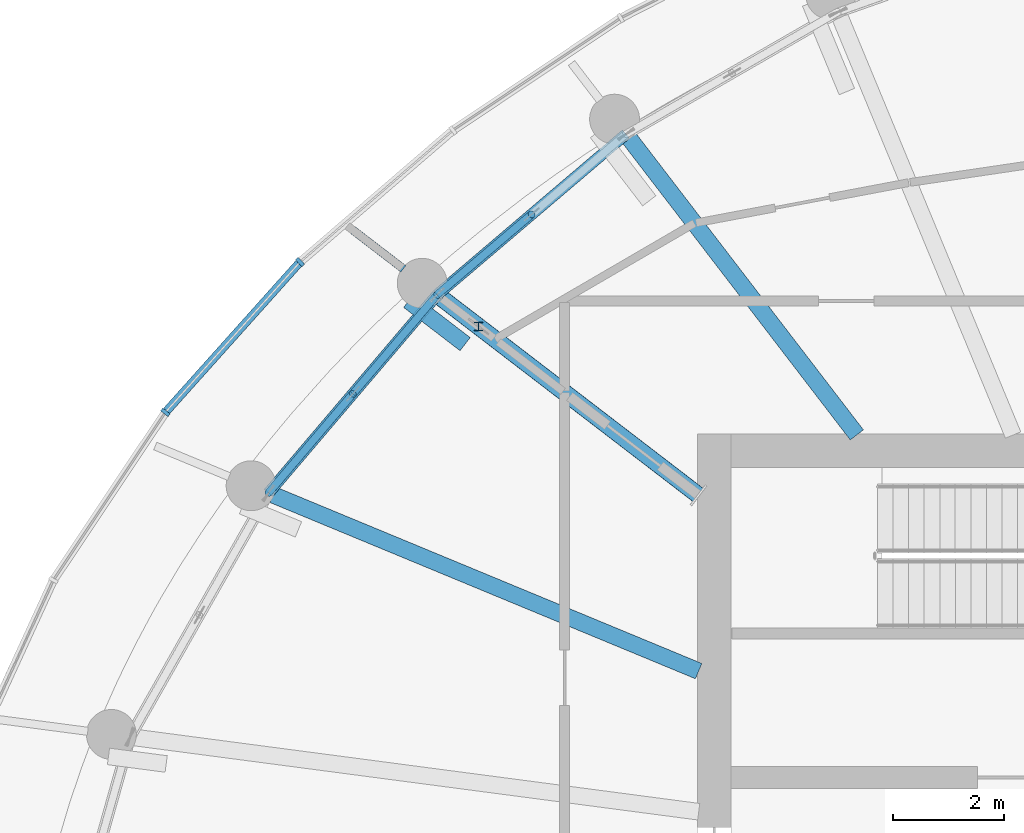
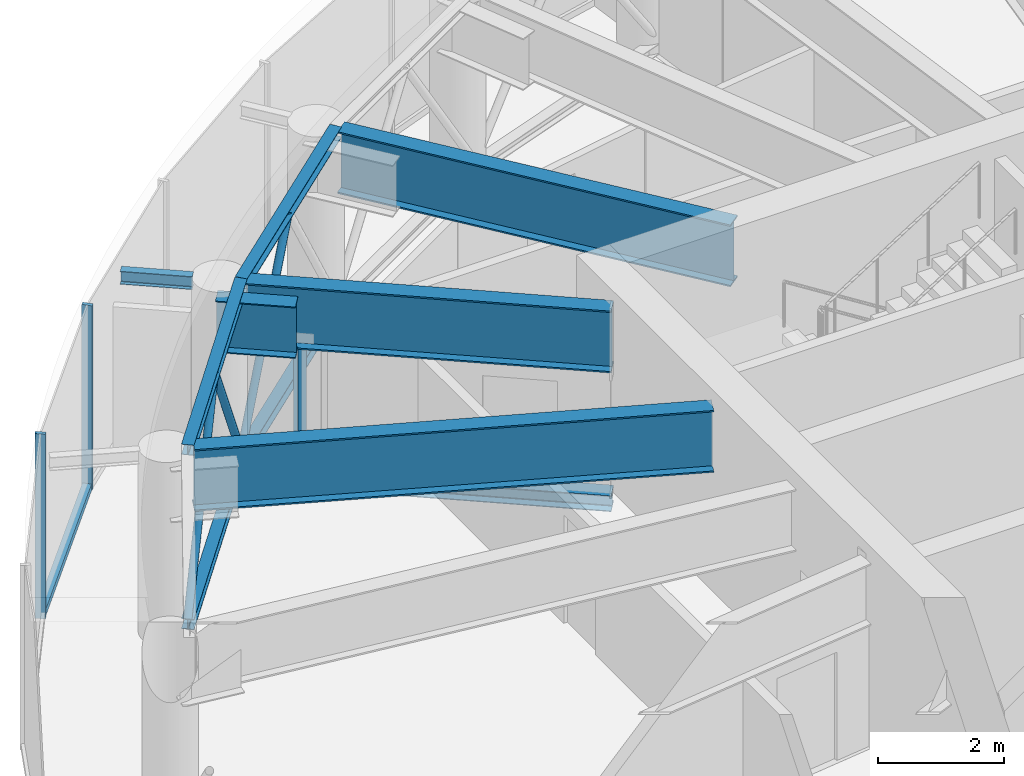
# One storey, part 6 of 26: 12 members, 5 beams, 1 element without a shape of its own.
"""IFC4 building model written with IfcOpenShell, lengths in metres."""

from ifc_helpers import new_model, si_unit, direction, frame, origin, origin_2d, place, context, subcontext, project, spatial, rectangle, hollow_circle, i_section, extrude, source, transform, mapped, material, layer, layer_set, material_profile, profile_set, type_object, element, aggregate, save


model = new_model("IFC4")

# Units and contexts
model_context = context("Model", 3, precision=1e-05, world=origin(), true_north=direction((0.0, 1.0)))
body_context = subcontext(model_context, "Body", "Model", "MODEL_VIEW")
ifc_project = project(units=[si_unit("LENGTHUNIT", "METRE"), si_unit("AREAUNIT", "SQUARE_METRE"), si_unit("VOLUMEUNIT", "CUBIC_METRE"), si_unit("PLANEANGLEUNIT", "RADIAN"), si_unit("MASSUNIT", "GRAM", prefix="KILO")], contexts=[model_context])

# Site, building, storey
site_placement = place(None, origin())
site = spatial("IfcSite", under=ifc_project, at=site_placement, CompositionType="ELEMENT")
building_placement = place(site_placement, origin())
building = spatial("IfcBuilding", under=site, at=building_placement, Name="Spindrift Exchange Tower", CompositionType="ELEMENT")
storey_placement = place(building_placement, frame((0.0, 0.0, 230.60009765625)))
storey = spatial("IfcBuildingStorey", under=building, at=storey_placement, Name="L56", CompositionType="ELEMENT", Elevation=230.60009765625)

# Beams
ifc_material_1 = material(Name="Steel Grade 300", Category="steel")
ifc_material_profile_1 = material_profile(ifc_material_1, i_section(OverallWidth=0.14599609375, OverallDepth=0.251953125, WebThickness=0.006103515625, FlangeThickness=0.008544921875, FilletRadius=0.011962890625, at=origin_2d()), Name="250UB31.4")
ifc_profile_set_1 = profile_set([ifc_material_profile_1], Name="Steel Grade 300")
beam_type_1 = type_object("IfcBeamType", Name="Cantilever Beam 250UB31.4 Steel Grade 300", PredefinedType="BEAM", material=ifc_profile_set_1)
shared_shape_1 = source(origin(), body_context, "Body", "SweptSolid", [
    extrude(i_section(OverallWidth=0.14599609375, OverallDepth=0.251953125, WebThickness=0.006103515625, FlangeThickness=0.008544921875, FilletRadius=0.011962890625, at=origin_2d()), origin(), (0.0, 0.0, 1.0), 1.15576171875),
])
beam_1_placement = place(storey_placement, frame((37.68798828125, 58.982177734375, 3.453857421875), z_axis=(-0.793463533488, 0.608617795521, 0.0), x_axis=(-0.608617795521, -0.793463533488, 0.0)))
element("IfcBeam", 1, at=beam_1_placement, inside=storey, type_object=beam_type_1, Name="L56 cantilever beam R10T", PredefinedType="BEAM", context=body_context, shape_type="MappedRepresentation", body=[
    mapped(shared_shape_1, transform((0.0, 0.0, 0.0), scale=1.0)),
])
ifc_material_profile_2 = material_profile(ifc_material_1, i_section(OverallWidth=0.300048828125, OverallDepth=1.199951171875, WebThickness=0.011962890625, FlangeThickness=0.028076171875, at=origin_2d()), Name="1200WB249")
ifc_profile_set_2 = profile_set([ifc_material_profile_2], Name="Steel Grade 300")
beam_type_2 = type_object("IfcBeamType", Name="Transfer Girder 1200WB249 Steel Grade 300", PredefinedType="BEAM", material=ifc_profile_set_2)
shared_shape_2 = source(origin(), body_context, "Body", "SweptSolid", [
    extrude(i_section(OverallWidth=0.300048828125, OverallDepth=1.199951171875, WebThickness=0.011962890625, FlangeThickness=0.028076171875, at=origin_2d()), origin(), (0.0, 0.0, 1.0), 6.753173828125),
])
beam_2_placement = place(storey_placement, frame((45.87353515625, 55.984130859375, 2.97998046875), z_axis=(-0.608761639459, 0.793353178807, 0.0), x_axis=(-0.793353178807, -0.608761639459, 0.0)))
element("IfcBeam", 2, at=beam_2_placement, inside=storey, type_object=beam_type_2, Name="L56 radial beam R09A", PredefinedType="BEAM", context=body_context, shape_type="MappedRepresentation", body=[
    mapped(shared_shape_2, transform((0.0, 0.0, 0.0), scale=1.0)),
])
shared_shape_3 = source(origin(), body_context, "Body", "SweptSolid", [
    extrude(i_section(OverallWidth=0.300048828125, OverallDepth=1.199951171875, WebThickness=0.011962890625, FlangeThickness=0.028076171875, at=origin_2d()), origin(), (0.0, 0.0, 1.0), 8.3134765625),
])
beam_3_placement = place(storey_placement, frame((43.0185546875, 51.72021484375, 2.97998046875), z_axis=(-0.923881179957, 0.382679455055, 0.0), x_axis=(-0.382679455055, -0.923881179957, 0.0)))
element("IfcBeam", 3, at=beam_3_placement, inside=storey, type_object=beam_type_2, Name="L56 radial beam R11A", PredefinedType="BEAM", context=body_context, shape_type="MappedRepresentation", body=[
    mapped(shared_shape_3, transform((0.0, 0.0, 0.0), scale=1.0)),
])

# Member
ifc_material_profile_3 = material_profile(ifc_material_1, i_section(OverallWidth=0.152099609375, OverallDepth=0.152099609375, WebThickness=0.006103515625, FlangeThickness=0.0068359375, FilletRadius=0.008056640625, at=origin_2d()), Name="150UC23.4")
ifc_profile_set_3 = profile_set([ifc_material_profile_3], Name="Steel Grade 300")
member_type_1 = type_object("IfcMemberType", Name="Outrigger Truss Post 150UC23.4 Steel Grade 300", PredefinedType="POST", material=ifc_profile_set_3)
shared_shape_4 = source(origin(), body_context, "Body", "SweptSolid", [
    extrude(i_section(OverallWidth=0.152099609375, OverallDepth=0.152099609375, WebThickness=0.006103515625, FlangeThickness=0.0068359375, FilletRadius=0.008056640625, at=origin_2d()), origin(), (0.0, 0.0, 1.0), 2.3798828125),
])
member_1_placement = place(storey_placement, frame((39.046875, 57.939208984375, 0.0), z_axis=(0.0, 0.0, 1.0), x_axis=(1.0, 0.0, 0.0)))
element("IfcMember", 4, at=member_1_placement, inside=storey, type_object=member_type_1, Name="L56 outrigger truss 10 post 1", PredefinedType="POST", context=body_context, shape_type="MappedRepresentation", body=[
    mapped(shared_shape_4, transform((0.0, 0.0, 0.0), scale=1.0)),
])

# Beam
ifc_material_profile_4 = material_profile(ifc_material_1, i_section(OverallWidth=0.300048828125, OverallDepth=1.199951171875, WebThickness=0.011962890625, FlangeThickness=0.028076171875, at=origin_2d()), Name="1200WB249")
ifc_profile_set_4 = profile_set([ifc_material_profile_4], Name="Steel Grade 300")
beam_type_3 = type_object("IfcBeamType", Name="Outrigger Truss Transfer Girder 1200WB249 Steel Grade 300", PredefinedType="BEAM", material=ifc_profile_set_4)
shared_shape_5 = source(origin(), body_context, "Body", "SweptSolid", [
    extrude(i_section(OverallWidth=0.300048828125, OverallDepth=1.199951171875, WebThickness=0.011962890625, FlangeThickness=0.028076171875, at=origin_2d()), origin(), (0.0, 0.0, 1.0), 5.855712890625),
])
beam_4_placement = place(storey_placement, frame((43.015869140625, 54.893798828125, 2.97998046875), z_axis=(-0.793362708479, 0.608749219954, 0.0), x_axis=(-0.608749219954, -0.793362708479, 0.0)))
element("IfcBeam", 5, at=beam_4_placement, inside=storey, type_object=beam_type_3, Name="L56 outrigger truss 10 top chord 1", PredefinedType="BEAM", context=body_context, shape_type="MappedRepresentation", body=[
    mapped(shared_shape_5, transform((0.0, 0.0, 0.0), scale=1.0)),
])

# Members
ifc_material_profile_5 = material_profile(ifc_material_1, i_section(OverallWidth=0.304931640625, OverallDepth=0.30810546875, WebThickness=0.010009765625, FlangeThickness=0.015380859375, FilletRadius=0.0166015625, at=origin_2d()), Name="310UC96.8")
ifc_profile_set_5 = profile_set([ifc_material_profile_5], Name="Steel Grade 300")
member_type_2 = type_object("IfcMemberType", Name="Outrigger Truss Chord 310UC96.8 Steel Grade 300", PredefinedType="CHORD", material=ifc_profile_set_5)
shared_shape_6 = source(origin(), body_context, "Body", "SweptSolid", [
    extrude(i_section(OverallWidth=0.304931640625, OverallDepth=0.30810546875, WebThickness=0.010009765625, FlangeThickness=0.015380859375, FilletRadius=0.0166015625, at=origin_2d()), origin(), (0.0, 0.0, 1.0), 5.855712890625),
])
member_2_placement = place(storey_placement, frame((43.015869140625, 54.893798828125, -0.154052734375), z_axis=(-0.793362708479, 0.608749219954, 0.0), x_axis=(-0.608749219954, -0.793362708479, 0.0)))
element("IfcMember", 6, at=member_2_placement, inside=storey, type_object=member_type_2, Name="L56 outrigger truss 10 bottom chord 1", PredefinedType="CHORD", context=body_context, shape_type="MappedRepresentation", body=[
    mapped(shared_shape_6, transform((0.0, 0.0, 0.0), scale=1.0)),
])
ifc_material_profile_6 = material_profile(ifc_material_1, i_section(OverallWidth=0.202880859375, OverallDepth=0.202880859375, WebThickness=0.00732421875, FlangeThickness=0.010986328125, FilletRadius=0.012939453125, at=origin_2d()), Name="200UC46.2")
ifc_profile_set_6 = profile_set([ifc_material_profile_6], Name="Steel Grade 300")
member_type_3 = type_object("IfcMemberType", Name="Belt Truss Chord 200UC46.2 Steel Grade 300", PredefinedType="CHORD", material=ifc_profile_set_6)
shared_shape_7 = source(origin(), body_context, "Body", "SweptSolid", [
    extrude(i_section(OverallWidth=0.202880859375, OverallDepth=0.202880859375, WebThickness=0.00732421875, FlangeThickness=0.010986328125, FilletRadius=0.012939453125, at=origin_2d()), origin(), (0.0, 0.0, 1.0), 4.475830078125),
])
for number, where, z_axis, x_axis, name in (
    (7, (41.707763671875, 61.413330078125, 3.478515625), (-0.76168085615, -0.64795236968, 0.0), (0.64795236968, -0.76168085615, 0.0), "L56 belt truss 09 top chord"),
    (8, (41.707763671875, 61.413330078125, 0.101318359375), (-0.76168085615, -0.64795236968, 0.0), (0.64795236968, -0.76168085615, 0.0), "L56 belt truss 09 bottom chord"),
):
    element("IfcMember", number, at=place(storey_placement, frame(where, z_axis=z_axis, x_axis=x_axis)), inside=storey, type_object=member_type_3, Name=name, PredefinedType="CHORD", context=body_context, shape_type="MappedRepresentation", body=[
        mapped(shared_shape_7, transform((0.0, 0.0, 0.0), scale=1.0)),
    ])
ifc_material_2 = material(Name="Steel Grade 350", Category="steel")
ifc_material_profile_7 = material_profile(ifc_material_2, hollow_circle(Radius=0.06982421875, WallThickness=0.00537109375, at=origin_2d()), Name="139.7x5.4CHS")
ifc_profile_set_7 = profile_set([ifc_material_profile_7], Name="Steel Grade 350")
member_type_4 = type_object("IfcMemberType", Name="Belt Truss Diagonal 139.7x5.4CHS Steel Grade 350", PredefinedType="BRACE", material=ifc_profile_set_7)
shared_shape_8 = source(origin(), body_context, "Body", "SweptSolid", [
    extrude(hollow_circle(Radius=0.06982421875, WallThickness=0.00537109375, at=origin_2d()), origin(), (0.0, 0.0, 1.0), 3.8837890625),
])
member_3_placement = place(storey_placement, frame((40.003173828125, 59.96337890625, 3.376953125), z_axis=(-0.438904337857, -0.373401857186, -0.817272314018), x_axis=(0.647984013307, -0.76165393618, 0.0)))
element("IfcMember", 9, at=member_3_placement, inside=storey, type_object=member_type_4, Name="L56 belt truss 09 diagonal 2", PredefinedType="BRACE", context=body_context, shape_type="MappedRepresentation", body=[
    mapped(shared_shape_8, transform((0.0, 0.0, 0.0), scale=1.0)),
])
shared_shape_9 = source(origin(), body_context, "Body", "SweptSolid", [
    extrude(i_section(OverallWidth=0.202880859375, OverallDepth=0.202880859375, WebThickness=0.00732421875, FlangeThickness=0.010986328125, FilletRadius=0.012939453125, at=origin_2d()), origin(), (0.0, 0.0, 1.0), 4.697021484375),
])
for number, where, z_axis, x_axis, name in (
    (10, (38.298583984375, 58.51318359375, 3.478515625), (-0.648064752845, -0.761585238906, 0.0), (0.761585238906, -0.648064752845, 0.0), "L56 belt truss 10 top chord"),
    (11, (38.298583984375, 58.51318359375, 0.101318359375), (-0.648064752845, -0.761585238906, 0.0), (0.761585238906, -0.648064752845, 0.0), "L56 belt truss 10 bottom chord"),
):
    element("IfcMember", number, at=place(storey_placement, frame(where, z_axis=z_axis, x_axis=x_axis)), inside=storey, type_object=member_type_3, Name=name, PredefinedType="CHORD", context=body_context, shape_type="MappedRepresentation", body=[
        mapped(shared_shape_9, transform((0.0, 0.0, 0.0), scale=1.0)),
    ])
shared_shape_10 = source(origin(), body_context, "Body", "SweptSolid", [
    extrude(hollow_circle(Radius=0.06982421875, WallThickness=0.00537109375, at=origin_2d()), origin(), (0.0, 0.0, 1.0), 3.948486328125),
])
for number, where, z_axis, x_axis, name in (
    (12, (38.298583984375, 58.51318359375, 0.202880859375), (-0.385462324808, -0.452983155525, 0.803881245561), (0.761585238906, -0.648064752845, 0.0), "L56 belt truss 10 diagonal 1"),
    (13, (36.776611328125, 56.724609375, 3.376953125), (-0.385462324808, -0.452983155525, -0.803881245561), (0.761585238906, -0.648064752845, 0.0), "L56 belt truss 10 diagonal 2"),
):
    element("IfcMember", number, at=place(storey_placement, frame(where, z_axis=z_axis, x_axis=x_axis)), inside=storey, type_object=member_type_4, Name=name, PredefinedType="BRACE", context=body_context, shape_type="MappedRepresentation", body=[
        mapped(shared_shape_10, transform((0.0, 0.0, 0.0), scale=1.0)),
    ])

# Beam
ifc_material_profile_8 = material_profile(ifc_material_1, i_section(OverallWidth=0.300048828125, OverallDepth=1.0, WebThickness=0.010009765625, FlangeThickness=0.02001953125, at=origin_2d()), Name="1000WB215")
ifc_profile_set_8 = profile_set([ifc_material_profile_8], Name="Steel Grade 300")
beam_type_4 = type_object("IfcBeamType", Name="Transfer Tie Beam 1000WB215 Steel Grade 300", PredefinedType="BEAM", material=ifc_profile_set_8)
shared_shape_11 = source(origin(), body_context, "Body", "SweptSolid", [
    extrude(i_section(OverallWidth=0.300048828125, OverallDepth=1.0, WebThickness=0.010009765625, FlangeThickness=0.02001953125, at=origin_2d()), origin(), (0.0, 0.0, 1.0), 1.283203125),
])
beam_5_placement = place(storey_placement, frame((37.785400390625, 58.403076171875, 2.97998046875), z_axis=(0.793330694412, -0.608790940556, 0.0), x_axis=(0.608790940556, 0.793330694412, 0.0)))
element("IfcBeam", 14, at=beam_5_placement, inside=storey, type_object=beam_type_4, Name="L56 transfer tie beam K10", PredefinedType="BEAM", context=body_context, shape_type="MappedRepresentation", body=[
    mapped(shared_shape_11, transform((0.0, 0.0, 0.0), scale=1.0)),
])

# Curtain wall, members
ifc_material_3 = material(Name="Fritted laminated glass with bronze frame", Category="glass")
ifc_layer = layer(ifc_material_3, 0.169921875)
ifc_layer_set = layer_set([ifc_layer], Name="ZONE 4 BRONZE FRITTED WALL")
curtain_wall_type = type_object("IfcCurtainWallType", Name="ZONE 4 BRONZE FRITTED WALL", PredefinedType="NOTDEFINED", material=ifc_layer_set)
curtain_wall_placement = place(storey_placement, origin())
curtain_wall = element("IfcCurtainWall", 15, at=curtain_wall_placement, inside=storey, type_object=curtain_wall_type, Name="L56 Zone 4 Bronze Fritted Wall run 3", PredefinedType="NOTDEFINED")
ifc_material_4 = material(Name="Bronze anodised aluminium", Category="aluminium")
ifc_material_profile_9 = material_profile(ifc_material_4, rectangle(XDim=0.06494140625, YDim=0.169921875, at=origin_2d()), Name="ZONE 4 BRONZE FRITTED WALL MULLION 65X170")
ifc_profile_set_9 = profile_set([ifc_material_profile_9], Name="Bronze anodised aluminium")
member_type_5 = type_object("IfcMemberType", Name="ZONE 4 BRONZE FRITTED WALL MULLION 65X170", PredefinedType="MULLION", material=ifc_profile_set_9)
shared_shape_12 = source(origin(), body_context, "Body", "SweptSolid", [
    extrude(rectangle(XDim=0.06494140625, YDim=0.169921875, at=origin_2d()), origin(), (0.0, 0.0, 1.0), 3.579833984375),
])
member_4_placement = place(storey_placement, frame((35.823486328125, 59.1044921875, 0.0), z_axis=(0.0, 0.0, 1.0), x_axis=(-0.713833582156, -0.700315369663, 0.0)))
member_4 = element("IfcMember", 16, at=member_4_placement, type_object=member_type_5, Name="L56 mullion CW-4.13", PredefinedType="MULLION", context=body_context, shape_type="MappedRepresentation", body=[
    mapped(shared_shape_12, transform((0.0, 0.0, 0.0), scale=1.0)),
])
member_5_placement = place(storey_placement, frame((33.393798828125, 56.39111328125, 0.0), z_axis=(0.0, 0.0, 1.0), x_axis=(-0.612784630562, -0.790249958271, 0.0)))
member_5 = element("IfcMember", 17, at=member_5_placement, type_object=member_type_5, Name="L56 mullion CW-4.14", PredefinedType="MULLION", context=body_context, shape_type="MappedRepresentation", body=[
    mapped(shared_shape_12, transform((0.0, 0.0, 0.0), scale=1.0)),
])
ifc_material_profile_10 = material_profile(ifc_material_4, rectangle(XDim=0.14990234375, YDim=0.125, at=origin_2d()), Name="ZONE 4 BRONZE FRITTED WALL TRANSOM 150X125")
ifc_profile_set_10 = profile_set([ifc_material_profile_10], Name="Bronze anodised aluminium")
member_type_6 = type_object("IfcMemberType", Name="ZONE 4 BRONZE FRITTED WALL TRANSOM 150X125", PredefinedType="USERDEFINED", material=ifc_profile_set_10)
shared_shape_13 = source(origin(), body_context, "Body", "SweptSolid", [
    extrude(rectangle(XDim=0.14990234375, YDim=0.125, at=origin_2d()), origin(), (0.0, 0.0, 1.0), 3.5771484375),
])
member_6_placement = place(storey_placement, frame((35.8017578125, 59.080322265625, 0.0625), z_axis=(-0.667096059274, -0.744971709329, 0.0), x_axis=(0.744971709329, -0.667096059274, 0.0)))
member_6 = element("IfcMember", 18, at=member_6_placement, type_object=member_type_6, Name="L56 transom CW-4.13", ObjectType="TRANSOM", PredefinedType="USERDEFINED", context=body_context, shape_type="MappedRepresentation", body=[
    mapped(shared_shape_13, transform((0.0, 0.0, 0.0), scale=1.0)),
])
aggregate(curtain_wall, [member_4, member_6, member_5])

save(model, "model.ifc")
